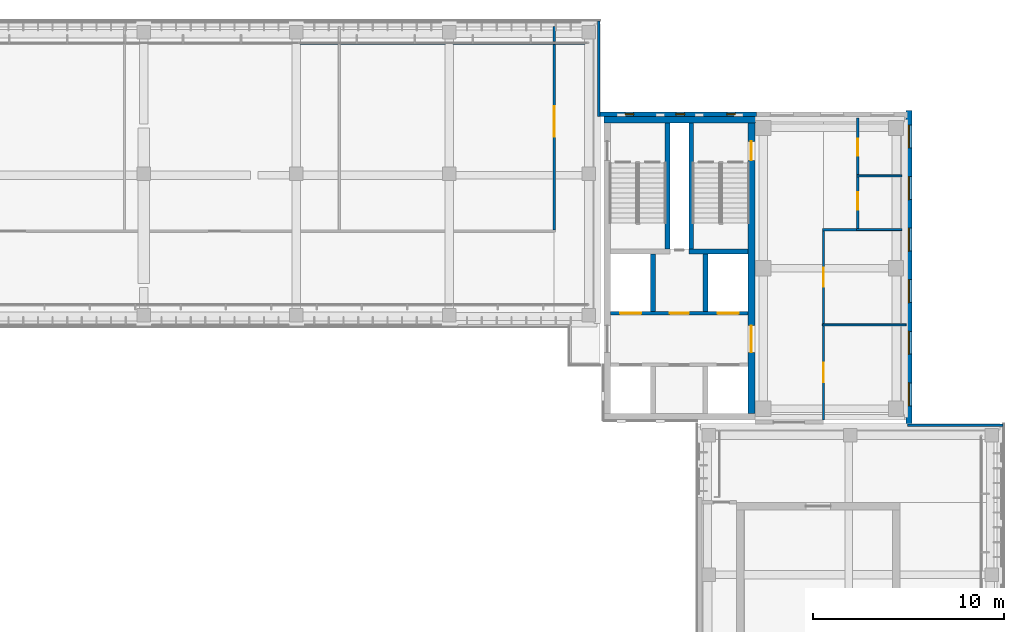
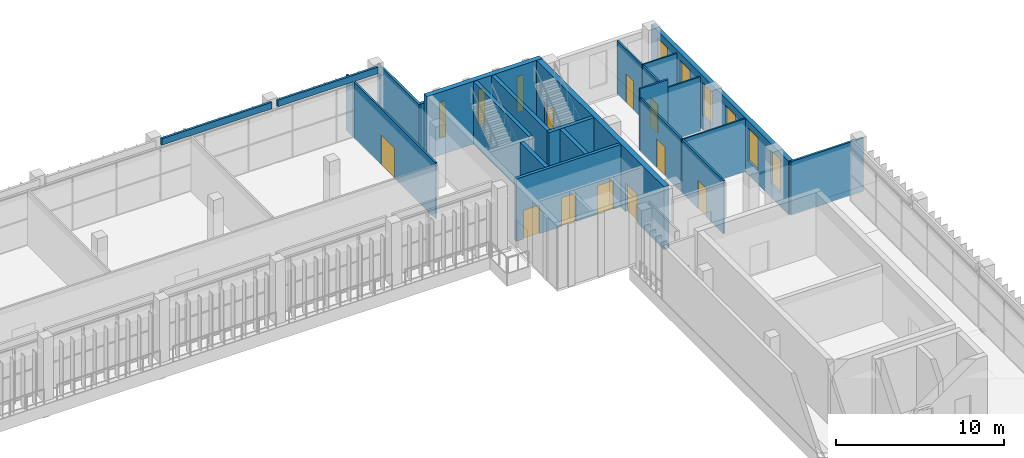
# One storey, part 51 of 73: 22 walls, 10 doors, 9 windows, 19 openings.
"""IFC4 building model written with IfcOpenShell, lengths in metres."""

import ifcopenshell
import ifcopenshell.guid

model = None  # the IFC model being written
_history = None  # IfcOwnerHistory: only IFC2X3 demands one
_inside = {}  # id of a spatial element -> (the spatial element, [elements in it])
_under = {}  # id of a project, library or spatial element -> (it, [spatial elements below it])
_declared = {}  # id of a project -> (the project, [libraries it declares])
_typed = {}  # id of a type object -> (the type object, [elements of that type])
_made_of = {}  # id of a material, layer set ... -> (it, [elements and type objects made of it])


def new_model(schema):
    """Start an empty IFC model of exactly this schema.

    Asked for "IFC4X3", IfcOpenShell would pick the latest addendum, in which some entities
    have other attributes; the version numbers below select the first issue.
    IFC2X3 requires an IfcOwnerHistory on every rooted entity: one is made here for all.
    """
    global model, _history
    if schema == "IFC4X3":
        model = ifcopenshell.file(schema_version=(4, 3, 0, 0))
    else:
        model = ifcopenshell.file(schema=schema)
    _inside.clear()
    _under.clear()
    _declared.clear()
    _typed.clear()
    _made_of.clear()
    _history = None
    if model.schema == "IFC2X3":
        org = make("IfcOrganization", Name="unknown")
        user = make(
            "IfcPersonAndOrganization",
            ThePerson=make("IfcPerson", FamilyName="unknown"),
            TheOrganization=org,
        )
        app = make(
            "IfcApplication",
            ApplicationDeveloper=org,
            Version="unknown",
            ApplicationFullName="unknown",
            ApplicationIdentifier="unknown",
        )
        _history = make(
            "IfcOwnerHistory",
            OwningUser=user,
            OwningApplication=app,
            ChangeAction="ADDED",
            CreationDate=0,
        )
    return model


def make(cls, **values):
    """One entity of the class cls with the attributes given. An attribute that is None is left unset."""
    return model.create_entity(
        cls, **{name: value for name, value in values.items() if value is not None}
    )


def rooted(cls, **values):
    """An entity with a GlobalId (a new one), such as an element, a storey or a relation."""
    return make(cls, GlobalId=ifcopenshell.guid.new(), OwnerHistory=_history, **values)


def si_unit(unit_type, name, prefix=None):
    """IfcSIUnit, for example si_unit("LENGTHUNIT", "METRE", prefix="MILLI")."""
    return make("IfcSIUnit", UnitType=unit_type, Prefix=prefix, Name=name)


def assignment(units):
    """IfcUnitAssignment: the units of a project."""
    return None if units is None else make("IfcUnitAssignment", Units=units)


def point(xyz):
    """IfcCartesianPoint."""
    return None if xyz is None else make("IfcCartesianPoint", Coordinates=xyz)


def direction(xyz):
    """IfcDirection."""
    return None if xyz is None else make("IfcDirection", DirectionRatios=xyz)


def frame(location, z_axis=None, x_axis=None):
    """IfcAxis2Placement3D, a coordinate frame: its origin and axes. An axis left out is left unset."""
    return make(
        "IfcAxis2Placement3D",
        Location=point(location),
        Axis=direction(z_axis),
        RefDirection=direction(x_axis),
    )


def frame_2d(location, x_axis=None):
    """IfcAxis2Placement2D, a coordinate frame in the plane: its origin and x axis."""
    return make(
        "IfcAxis2Placement2D", Location=point(location), RefDirection=direction(x_axis)
    )


def origin():
    """The frame at (0, 0, 0) with its axes left unset."""
    return frame((0.0, 0.0, 0.0))


def place(relative_to, where):
    """IfcLocalPlacement: puts the frame where relative to a parent placement (None: the world)."""
    return make(
        "IfcLocalPlacement", PlacementRelTo=relative_to, RelativePlacement=where
    )


def context(
    kind, dimensions, precision=None, world=None, true_north=None, identifier=None
):
    """IfcGeometricRepresentationContext, for example the 3D "Model" context."""
    return make(
        "IfcGeometricRepresentationContext",
        ContextIdentifier=identifier,
        ContextType=kind,
        CoordinateSpaceDimension=dimensions,
        Precision=precision,
        WorldCoordinateSystem=world,
        TrueNorth=true_north,
    )


def subcontext(parent, identifier, kind, view, scale=None):
    """IfcGeometricRepresentationSubContext, for example "Body" below "Model"."""
    return make(
        "IfcGeometricRepresentationSubContext",
        ContextIdentifier=identifier,
        ContextType=kind,
        ParentContext=parent,
        TargetScale=scale,
        TargetView=view,
    )


def project(units=None, contexts=None):
    """IfcProject with its units and contexts."""
    return rooted(
        "IfcProject",
        Name="project",
        RepresentationContexts=contexts,
        UnitsInContext=assignment(units),
    )


def spatial(cls, under=None, at=None, **own):
    """A site, building, storey or space (cls), placed at a placement, below another one or the project."""
    s = rooted(cls, ObjectPlacement=at, **own)
    if under is not None:
        _under.setdefault(under.id(), (under, []))[1].append(s)
    return s


def profile(cls, at=None, kind="AREA", **sizes):
    """A parametric profile (cls). Its sizes go by their IFC names, for example OverallWidth=200.0."""
    return make(cls, ProfileType=kind, Position=at, **sizes)


def rectangle(**sizes):
    """IfcRectangleProfileDef."""
    return profile("IfcRectangleProfileDef", **sizes)


def extrude(swept, where, along, depth):
    """IfcExtrudedAreaSolid: the profile swept, set in the frame where, extruded along a direction by depth."""
    return make(
        "IfcExtrudedAreaSolid",
        SweptArea=swept,
        Position=where,
        ExtrudedDirection=direction(along),
        Depth=depth,
    )


def shape(context_of_items, identifier, shape_type, items):
    """IfcShapeRepresentation: the items that make up one representation, for example the "Body"."""
    return make(
        "IfcShapeRepresentation",
        ContextOfItems=context_of_items,
        RepresentationIdentifier=identifier,
        RepresentationType=shape_type,
        Items=items,
    )


def material(Name=None, Category=None):
    """IfcMaterial."""
    return make("IfcMaterial", Name=Name, Category=Category)


def layer(
    of_material, thickness, ventilated=None, Name=None, Category=None, Priority=None
):
    """IfcMaterialLayer: one layer of a wall or slab, of a material (None: an air gap)."""
    return make(
        "IfcMaterialLayer",
        Material=of_material,
        LayerThickness=thickness,
        IsVentilated=ventilated,
        Name=Name,
        Category=Category,
        Priority=Priority,
    )


def layer_set(layers, Name=None):
    """IfcMaterialLayerSet."""
    return make("IfcMaterialLayerSet", MaterialLayers=layers, LayerSetName=Name)


def made_of(thing, what):
    """Note that an element or type object is made of a material, layer set ...; save() writes the relation."""
    if what is not None:
        _made_of.setdefault(what.id(), (what, []))[1].append(thing)
    return thing


def type_object(cls, material=None, **own):
    """A type object (cls), such as IfcWallType, which elements share."""
    return made_of(rooted(cls, **own), material)


def element(
    cls,
    number,
    at=None,
    inside=None,
    cuts=None,
    type_object=None,
    material=None,
    context=None,
    identifier="Body",
    shape_type=None,
    held_by="IfcProductDefinitionShape",
    body=None,
    shapes=None,
    **own,
):
    """One element of the class cls, such as IfcWall. Its Tag is "e" and its number.

    at: its placement. inside: the storey or other place that contains it. cuts: it is an
    opening in that element (IfcRelVoidsElement). A single representation is given by context,
    identifier, shape_type and body (its items); several are given by shapes. held_by: the class
    of the entity that holds the representations. save() writes the other relations.
    """
    e = rooted(cls, Tag="e%d" % number, ObjectPlacement=at, **own)
    if body is not None:
        shapes = [shape(context, identifier, shape_type, body)]
    if shapes is not None:
        e.Representation = make(held_by, Representations=shapes)
    if inside is not None:
        _inside.setdefault(inside.id(), (inside, []))[1].append(e)
    if cuts is not None:
        rooted(
            "IfcRelVoidsElement", RelatingBuildingElement=cuts, RelatedOpeningElement=e
        )
    if type_object is not None:
        _typed.setdefault(type_object.id(), (type_object, []))[1].append(e)
    return made_of(e, material)


def fill(opening, filler):
    """IfcRelFillsElement: the door or window that sits in an opening."""
    return rooted(
        "IfcRelFillsElement",
        RelatingOpeningElement=opening,
        RelatedBuildingElement=filler,
    )


def aggregate(whole, parts):
    """IfcRelAggregates: a whole, such as a stair, and the parts it consists of."""
    return rooted("IfcRelAggregates", RelatingObject=whole, RelatedObjects=parts)


def save(model, path):
    """Write the relations noted so far, then the file.

    IfcRelAggregates (storeys below a building ...), IfcRelContainedInSpatialStructure (elements
    in a storey), IfcRelDefinesByType, IfcRelAssociatesMaterial and IfcRelDeclares: one each for
    every whole, place, type object, material and project.
    """
    for whole, parts in _under.values():
        aggregate(whole, parts)
    for where, things in _inside.values():
        rooted(
            "IfcRelContainedInSpatialStructure",
            RelatedElements=things,
            RelatingStructure=where,
        )
    for kind, things in _typed.values():
        rooted("IfcRelDefinesByType", RelatedObjects=things, RelatingType=kind)
    for what, things in _made_of.values():
        rooted("IfcRelAssociatesMaterial", RelatedObjects=things, RelatingMaterial=what)
    for by, libraries in _declared.values():
        rooted("IfcRelDeclares", RelatingContext=by, RelatedDefinitions=libraries)
    model.write(path)


model = new_model("IFC4")

# Units and contexts
model_context = context("Model", 3, precision=1e-05, world=origin(), true_north=direction((0.0, 1.0)))
body_context = subcontext(model_context, "Body", "Model", "MODEL_VIEW")
ifc_project = project(units=[si_unit("LENGTHUNIT", "METRE"), si_unit("AREAUNIT", "SQUARE_METRE"), si_unit("VOLUMEUNIT", "CUBIC_METRE"), si_unit("PLANEANGLEUNIT", "RADIAN"), si_unit("MASSUNIT", "GRAM", prefix="KILO")], contexts=[model_context])

# Site, building, storey
site_placement = place(None, origin())
site = spatial("IfcSite", under=ifc_project, at=site_placement, CompositionType="ELEMENT")
building_placement = place(site_placement, origin())
building = spatial("IfcBuilding", under=site, at=building_placement, Name="Lantern Court Media Centre", CompositionType="ELEMENT")
storey_placement = place(building_placement, frame((0.0, 0.0, 24.0)))
storey = spatial("IfcBuildingStorey", under=building, at=storey_placement, Name="L05", CompositionType="ELEMENT", Elevation=24.0)

# Wall, opening, door
ifc_material_1 = material(Name="Gypsum board partition")
ifc_layer_1 = layer(ifc_material_1, 0.125)
ifc_layer_set_1 = layer_set([ifc_layer_1], Name="Gypsum board partition")
wall_type_1 = type_object("IfcWallType", Name="Corridor partition 125", PredefinedType="PARTITIONING", material=ifc_layer_set_1)
wall_1_placement = place(storey_placement, frame((77.5, 106.0625, 0.0), z_axis=(0.0, 0.0, 1.0), x_axis=(0.0, 1.0, 0.0)))
wall_1 = element("IfcWall", 1, at=wall_1_placement, inside=storey, type_object=wall_type_1, Name="L05 partition 006", PredefinedType="PARTITIONING", context=body_context, shape_type="SweptSolid", body=[
    extrude(rectangle(XDim=9.70751953125, YDim=0.125, at=frame_2d((4.853759765625, 0.0))), origin(), (0.0, 0.0, 1.0), 4.080078125),
])
opening_1_placement = place(wall_1_placement, frame((4.866455078125, 0.0, 0.0)))
opening_1 = element("IfcOpeningElement", 2, at=opening_1_placement, cuts=wall_1, Name="Opening L05-007", PredefinedType="OPENING", context=body_context, shape_type="SweptSolid", body=[
    extrude(rectangle(XDim=1.60009765625, YDim=2.199951171875, at=frame_2d((0.800048828125, 1.10009765625))), frame((0.0, 0.072509765625, 0.0), z_axis=(0.0, -1.0, 0.0), x_axis=(1.0, 0.0, 0.0)), (0.0, 0.0, 1.0), 0.14501953125),
])
ifc_material_2 = material(Name="Solid-core timber door leaf", Category="wood")
door_type_1 = type_object("IfcDoorType", Name="Double door 1600x2200", OperationType="NOTDEFINED", PredefinedType="DOOR", material=ifc_material_2)
door_1_placement = place(opening_1_placement, frame((1.60009765625, 0.0, 0.0), z_axis=(0.0, 0.0, 1.0), x_axis=(-1.0, 0.0, 0.0)))
door_1 = element("IfcDoor", 3, at=door_1_placement, inside=storey, type_object=door_type_1, Name="L05 Media Training Room 03 door", OperationType="DOUBLE_DOOR_SINGLE_SWING", OverallHeight=2.199951171875, OverallWidth=1.60009765625, PredefinedType="DOOR", context=body_context, shape_type="SweptSolid", body=[
    extrude(rectangle(XDim=1.60009765625, YDim=2.199951171875, at=frame_2d((0.800048828125, 1.10009765625))), frame((0.0, 0.02490234375, 0.0), z_axis=(0.0, -1.0, 0.0), x_axis=(1.0, 0.0, 0.0)), (0.0, 0.0, 1.0), 0.050048828125),
])
fill(opening_1, door_1)

# Wall
wall_2_placement = place(storey_placement, frame((77.5, 115.929931640625, 0.0), z_axis=(0.0, 0.0, 1.0), x_axis=(0.0, 1.0, 0.0)))
element("IfcWall", 4, at=wall_2_placement, inside=storey, type_object=wall_type_1, Name="L05 partition 007", PredefinedType="PARTITIONING", context=body_context, shape_type="SweptSolid", body=[
    extrude(rectangle(XDim=0.77001953125, YDim=0.125, at=frame_2d((0.385009765625, 0.0))), origin(), (0.0, 0.0, 1.0), 4.080078125),
])

# Wall, openings, doors
wall_3_placement = place(storey_placement, frame((91.60009765625, 96.10009765625, 0.0), z_axis=(0.0, 0.0, 1.0), x_axis=(0.0, 1.0, 0.0)))
wall_3 = element("IfcWall", 5, at=wall_3_placement, inside=storey, type_object=wall_type_1, Name="L05 partition 034", PredefinedType="PARTITIONING", context=body_context, shape_type="SweptSolid", body=[
    extrude(rectangle(XDim=9.9140625, YDim=0.125, at=frame_2d((4.95703125, 0.0))), origin(), (0.0, 0.0, 1.0), 3.8798828125),
])
opening_2_placement = place(wall_3_placement, frame((6.982666015625, 0.0, 0.0)))
opening_2 = element("IfcOpeningElement", 6, at=opening_2_placement, cuts=wall_3, Name="Opening L05-027", PredefinedType="OPENING", context=body_context, shape_type="SweptSolid", body=[
    extrude(rectangle(XDim=1.0, YDim=2.10009765625, at=frame_2d((0.5, 1.050048828125))), frame((0.0, 0.072509765625, 0.0), z_axis=(0.0, -1.0, 0.0), x_axis=(1.0, 0.0, 0.0)), (0.0, 0.0, 1.0), 0.14501953125),
])
opening_3_placement = place(wall_3_placement, frame((1.994140625, 0.0, 0.0)))
opening_3 = element("IfcOpeningElement", 7, at=opening_3_placement, cuts=wall_3, Name="Opening L05-028", PredefinedType="OPENING", context=body_context, shape_type="SweptSolid", body=[
    extrude(rectangle(XDim=1.0, YDim=2.10009765625, at=frame_2d((0.5, 1.050048828125))), frame((0.0, 0.072509765625, 0.0), z_axis=(0.0, -1.0, 0.0), x_axis=(1.0, 0.0, 0.0)), (0.0, 0.0, 1.0), 0.14501953125),
])
door_type_2 = type_object("IfcDoorType", Name="Single door 1000x2100", OperationType="NOTDEFINED", PredefinedType="DOOR", material=ifc_material_2)
door_2_placement = place(opening_2_placement, frame((1.0, 0.0, 0.0), z_axis=(0.0, 0.0, 1.0), x_axis=(-1.0, 0.0, 0.0)))
door_2 = element("IfcDoor", 8, at=door_2_placement, inside=storey, type_object=door_type_2, Name="L05 Broadcast Programming Office 06 door", OperationType="SINGLE_SWING_RIGHT", OverallHeight=2.10009765625, OverallWidth=1.0, PredefinedType="DOOR", context=body_context, shape_type="SweptSolid", body=[
    extrude(rectangle(XDim=1.0, YDim=2.10009765625, at=frame_2d((0.5, 1.050048828125))), frame((0.0, 0.02490234375, 0.0), z_axis=(0.0, -1.0, 0.0), x_axis=(1.0, 0.0, 0.0)), (0.0, 0.0, 1.0), 0.050048828125),
])
fill(opening_2, door_2)
door_3_placement = place(opening_3_placement, frame((1.0, 0.0, 0.0), z_axis=(0.0, 0.0, 1.0), x_axis=(-1.0, 0.0, 0.0)))
door_3 = element("IfcDoor", 9, at=door_3_placement, inside=storey, type_object=door_type_2, Name="L05 Broadcast Programming Office 07 door", OperationType="SINGLE_SWING_LEFT", OverallHeight=2.10009765625, OverallWidth=1.0, PredefinedType="DOOR", context=body_context, shape_type="SweptSolid", body=[
    extrude(rectangle(XDim=1.0, YDim=2.10009765625, at=frame_2d((0.5, 1.050048828125))), frame((0.0, 0.02490234375, 0.0), z_axis=(0.0, -1.0, 0.0), x_axis=(1.0, 0.0, 0.0)), (0.0, 0.0, 1.0), 0.050048828125),
])
fill(opening_3, door_3)

wall_4_placement = place(storey_placement, frame((93.39990234375, 106.13916015625, 0.0), z_axis=(0.0, 0.0, 1.0), x_axis=(0.0, 1.0, 0.0)))
wall_4 = element("IfcWall", 10, at=wall_4_placement, inside=storey, type_object=wall_type_1, Name="L05 partition 039", PredefinedType="PARTITIONING", context=body_context, shape_type="SweptSolid", body=[
    extrude(rectangle(XDim=5.78076171875, YDim=0.125, at=frame_2d((2.890380859375, 0.0))), origin(), (0.0, 0.0, 1.0), 3.8798828125),
])
opening_4_placement = place(wall_4_placement, frame((3.79541015625, 0.0, 0.0)))
opening_4 = element("IfcOpeningElement", 11, at=opening_4_placement, cuts=wall_4, Name="Opening L05-029", PredefinedType="OPENING", context=body_context, shape_type="SweptSolid", body=[
    extrude(rectangle(XDim=0.89990234375, YDim=2.10009765625, at=frame_2d((0.449951171875, 1.050048828125))), frame((0.0, 0.072509765625, 0.0), z_axis=(0.0, -1.0, 0.0), x_axis=(1.0, 0.0, 0.0)), (0.0, 0.0, 1.0), 0.14501953125),
])
opening_5_placement = place(wall_4_placement, frame((0.983642578125, 0.0, 0.0)))
opening_5 = element("IfcOpeningElement", 12, at=opening_5_placement, cuts=wall_4, Name="Opening L05-030", PredefinedType="OPENING", context=body_context, shape_type="SweptSolid", body=[
    extrude(rectangle(XDim=0.89990234375, YDim=2.10009765625, at=frame_2d((0.449951171875, 1.050048828125))), frame((0.0, 0.072509765625, 0.0), z_axis=(0.0, -1.0, 0.0), x_axis=(1.0, 0.0, 0.0)), (0.0, 0.0, 1.0), 0.14501953125),
])
door_type_3 = type_object("IfcDoorType", Name="Single door 900x2100", OperationType="NOTDEFINED", PredefinedType="DOOR", material=ifc_material_2)
door_4_placement = place(opening_4_placement, frame((0.89990234375, 0.0, 0.0), z_axis=(0.0, 0.0, 1.0), x_axis=(-1.0, 0.0, 0.0)))
door_4 = element("IfcDoor", 13, at=door_4_placement, inside=storey, type_object=door_type_3, Name="L05 WC Male door", OperationType="SINGLE_SWING_RIGHT", OverallHeight=2.10009765625, OverallWidth=0.89990234375, PredefinedType="DOOR", context=body_context, shape_type="SweptSolid", body=[
    extrude(rectangle(XDim=0.89990234375, YDim=2.10009765625, at=frame_2d((0.449951171875, 1.050048828125))), frame((0.0, 0.02490234375, 0.0), z_axis=(0.0, -1.0, 0.0), x_axis=(1.0, 0.0, 0.0)), (0.0, 0.0, 1.0), 0.050048828125),
])
fill(opening_4, door_4)
door_5_placement = place(opening_5_placement, frame((0.89990234375, 0.0, 0.0), z_axis=(0.0, 0.0, 1.0), x_axis=(-1.0, 0.0, 0.0)))
door_5 = element("IfcDoor", 14, at=door_5_placement, inside=storey, type_object=door_type_3, Name="L05 WC Female door", OperationType="SINGLE_SWING_LEFT", OverallHeight=2.10009765625, OverallWidth=0.89990234375, PredefinedType="DOOR", context=body_context, shape_type="SweptSolid", body=[
    extrude(rectangle(XDim=0.89990234375, YDim=2.10009765625, at=frame_2d((0.449951171875, 1.050048828125))), frame((0.0, 0.02490234375, 0.0), z_axis=(0.0, -1.0, 0.0), x_axis=(1.0, 0.0, 0.0)), (0.0, 0.0, 1.0), 0.050048828125),
])
fill(opening_5, door_5)

# Wall
wall_5_placement = place(storey_placement, frame((91.53759765625, 106.076904296875, 0.0), z_axis=(0.0, 0.0, 1.0), x_axis=(1.0, 0.0, 0.0)))
element("IfcWall", 15, at=wall_5_placement, inside=storey, type_object=wall_type_1, Name="L05 partition 046", PredefinedType="PARTITIONING", context=body_context, shape_type="SweptSolid", body=[
    extrude(rectangle(XDim=1.9248046875, YDim=0.125, at=frame_2d((0.96240234375, 0.0))), origin(), (0.0, 0.0, 1.0), 4.56005859375),
])

# Wall, openings, doors
ifc_material_3 = material(Name="Concrete C40", Category="concrete")
ifc_layer_2 = layer(ifc_material_3, 0.199951171875)
ifc_layer_set_2 = layer_set([ifc_layer_2], Name="Concrete C40")
wall_type_2 = type_object("IfcWallType", Name="Fire lobby wall 200", PredefinedType="SOLIDWALL", material=ifc_layer_set_2)
wall_6_placement = place(storey_placement, frame((87.64990234375, 101.699951171875, 0.0), z_axis=(0.0, 0.0, 1.0), x_axis=(-1.0, 0.0, 0.0)))
wall_6 = element("IfcWall", 16, at=wall_6_placement, inside=storey, type_object=wall_type_2, Name="L05 NE FW1", PredefinedType="SOLIDWALL", context=body_context, shape_type="SweptSolid", body=[
    extrude(rectangle(XDim=7.199951171875, YDim=0.199951171875, at=frame_2d((3.60009765625, 0.0))), origin(), (0.0, 0.0, 1.0), 4.550048828125),
])
opening_6_placement = place(wall_6_placement, frame((0.5, 0.0, 0.0)))
opening_6 = element("IfcOpeningElement", 17, at=opening_6_placement, cuts=wall_6, Name="Opening LD-NEFF-L05", PredefinedType="OPENING", context=body_context, shape_type="SweptSolid", body=[
    extrude(rectangle(XDim=1.10009765625, YDim=2.10009765625, at=frame_2d((0.550048828125, 1.050048828125))), frame((0.0, 0.10986328125, 0.0), z_axis=(0.0, -1.0, 0.0), x_axis=(1.0, 0.0, 0.0)), (0.0, 0.0, 1.0), 0.219970703125),
])
opening_7_placement = place(wall_6_placement, frame((5.60009765625, 0.0, 0.0)))
opening_7 = element("IfcOpeningElement", 18, at=opening_7_placement, cuts=wall_6, Name="Opening LD-NEP1-L05", PredefinedType="OPENING", context=body_context, shape_type="SweptSolid", body=[
    extrude(rectangle(XDim=1.10009765625, YDim=2.10009765625, at=frame_2d((0.550048828125, 1.050048828125))), frame((0.0, 0.10986328125, 0.0), z_axis=(0.0, -1.0, 0.0), x_axis=(1.0, 0.0, 0.0)), (0.0, 0.0, 1.0), 0.219970703125),
])
opening_8_placement = place(wall_6_placement, frame((3.10009765625, 0.0, 0.0)))
opening_8 = element("IfcOpeningElement", 19, at=opening_8_placement, cuts=wall_6, Name="Opening NE-L05-03", PredefinedType="OPENING", context=body_context, shape_type="SweptSolid", body=[
    extrude(rectangle(XDim=1.0, YDim=2.10009765625, at=frame_2d((0.5, 1.050048828125))), frame((0.0, 0.10986328125, 0.0), z_axis=(0.0, -1.0, 0.0), x_axis=(1.0, 0.0, 0.0)), (0.0, 0.0, 1.0), 0.219970703125),
])
ifc_material_4 = material(Name="Steel door leaf", Category="steel")
door_type_4 = type_object("IfcDoorType", Name="Lift landing door 1100x2100", OperationType="DOUBLE_DOOR_SLIDING", PredefinedType="DOOR", material=ifc_material_4)
door_6_placement = place(opening_6_placement, origin())
door_6 = element("IfcDoor", 20, at=door_6_placement, inside=storey, type_object=door_type_4, Name="L05 NE lift FF landing door", OperationType="DOUBLE_DOOR_SLIDING", OverallHeight=2.10009765625, OverallWidth=1.10009765625, PredefinedType="DOOR", context=body_context, shape_type="SweptSolid", body=[
    extrude(rectangle(XDim=1.10009765625, YDim=2.10009765625, at=frame_2d((0.550048828125, 1.050048828125))), frame((0.0, 0.02490234375, 0.0), z_axis=(0.0, -1.0, 0.0), x_axis=(1.0, 0.0, 0.0)), (0.0, 0.0, 1.0), 0.050048828125),
])
fill(opening_6, door_6)
door_7_placement = place(opening_7_placement, origin())
door_7 = element("IfcDoor", 21, at=door_7_placement, inside=storey, type_object=door_type_4, Name="L05 NE lift P1 landing door", OperationType="DOUBLE_DOOR_SLIDING", OverallHeight=2.10009765625, OverallWidth=1.10009765625, PredefinedType="DOOR", context=body_context, shape_type="SweptSolid", body=[
    extrude(rectangle(XDim=1.10009765625, YDim=2.10009765625, at=frame_2d((0.550048828125, 1.050048828125))), frame((0.0, 0.02490234375, 0.0), z_axis=(0.0, -1.0, 0.0), x_axis=(1.0, 0.0, 0.0)), (0.0, 0.0, 1.0), 0.050048828125),
])
fill(opening_7, door_7)
door_type_5 = type_object("IfcDoorType", Name="Service door 1000x2100", OperationType="NOTDEFINED", PredefinedType="DOOR", material=ifc_material_4)
door_8_placement = place(opening_8_placement, origin())
door_8 = element("IfcDoor", 22, at=door_8_placement, inside=storey, type_object=door_type_5, Name="L05 NE services riser door", OperationType="SINGLE_SWING_LEFT", OverallHeight=2.10009765625, OverallWidth=1.0, PredefinedType="DOOR", context=body_context, shape_type="SweptSolid", body=[
    extrude(rectangle(XDim=1.0, YDim=2.10009765625, at=frame_2d((0.5, 1.050048828125))), frame((0.0, 0.02490234375, 0.0), z_axis=(0.0, -1.0, 0.0), x_axis=(1.0, 0.0, 0.0)), (0.0, 0.0, 1.0), 0.050048828125),
])
fill(opening_8, door_8)

# Walls
ifc_material_5 = material(Name="Insulated rendered blockwork", Category="masonry")
ifc_layer_3 = layer(ifc_material_5, 0.14990234375)
ifc_layer_set_3 = layer_set([ifc_layer_3], Name="Insulated rendered blockwork")
wall_type_3 = type_object("IfcWallType", Name="Head infill wall 150", PredefinedType="SOLIDWALL", material=ifc_layer_set_3)
wall_7_placement = place(storey_placement, frame((64.199951171875, 115.85009765625, 4.10009765625), z_axis=(0.0, 0.0, 1.0), x_axis=(1.0, 0.0, 0.0)))
element("IfcWall", 23, at=wall_7_placement, inside=storey, type_object=wall_type_3, Name="Head infill wall N outer L05", PredefinedType="SOLIDWALL", context=body_context, shape_type="SweptSolid", body=[
    extrude(rectangle(XDim=7.60009765625, YDim=0.14990234375, at=frame_2d((3.800048828125, 0.0))), origin(), (0.0, 0.0, 1.0), 0.47998046875),
])
wall_8_placement = place(storey_placement, frame((72.199951171875, 115.85009765625, 4.10009765625), z_axis=(0.0, 0.0, 1.0), x_axis=(1.0, 0.0, 0.0)))
element("IfcWall", 24, at=wall_8_placement, inside=storey, type_object=wall_type_3, Name="Head infill wall N outer L05", PredefinedType="SOLIDWALL", context=body_context, shape_type="SweptSolid", body=[
    extrude(rectangle(XDim=6.900146484375, YDim=0.14990234375, at=frame_2d((3.4501953125, 0.0))), origin(), (0.0, 0.0, 1.0), 0.47998046875),
])

# Wall, openings, windows
ifc_material_6 = material(Name="Honed limestone cladding on blockwork", Category="masonry")
ifc_layer_4 = layer(ifc_material_6, 0.300048828125)
ifc_layer_set_4 = layer_set([ifc_layer_4], Name="Honed limestone cladding on blockwork")
wall_type_4 = type_object("IfcWallType", Name="Limestone block wall 300", PredefinedType="SOLIDWALL", material=ifc_layer_set_4)
wall_9_placement = place(storey_placement, frame((96.070068359375, 95.89990234375, 0.0), z_axis=(0.0, 0.0, 1.0), x_axis=(0.0, 1.0, 0.0)))
wall_9 = element("IfcWall", 25, at=wall_9_placement, inside=storey, type_object=wall_type_4, Name="Limestone wall NE E L05", PredefinedType="SOLIDWALL", context=body_context, shape_type="SweptSolid", body=[
    extrude(rectangle(XDim=16.400146484375, YDim=0.300048828125, at=frame_2d((8.2001953125, 0.0))), origin(), (0.0, 0.0, 1.0), 3.89990234375),
])
opening_9_placement = place(wall_9_placement, frame((0.949951171875, 0.0, 1.0)))
opening_9 = element("IfcOpeningElement", 26, at=opening_9_placement, cuts=wall_9, Name="Opening WN-A", PredefinedType="OPENING", context=body_context, shape_type="SweptSolid", body=[
    extrude(rectangle(XDim=1.199951171875, YDim=2.39990234375, at=frame_2d((0.60009765625, 1.199951171875))), frame((0.0, 0.159912109375, 0.0), z_axis=(0.0, -1.0, 0.0), x_axis=(1.0, 0.0, 0.0)), (0.0, 0.0, 1.0), 0.320068359375),
])
opening_10_placement = place(wall_9_placement, frame((3.64990234375, 0.0, 1.0)))
opening_10 = element("IfcOpeningElement", 27, at=opening_10_placement, cuts=wall_9, Name="Opening WN-A", PredefinedType="OPENING", context=body_context, shape_type="SweptSolid", body=[
    extrude(rectangle(XDim=1.199951171875, YDim=2.39990234375, at=frame_2d((0.60009765625, 1.199951171875))), frame((0.0, 0.159912109375, 0.0), z_axis=(0.0, -1.0, 0.0), x_axis=(1.0, 0.0, 0.0)), (0.0, 0.0, 1.0), 0.320068359375),
])
opening_11_placement = place(wall_9_placement, frame((6.35009765625, 0.0, 1.0)))
opening_11 = element("IfcOpeningElement", 28, at=opening_11_placement, cuts=wall_9, Name="Opening WN-A", PredefinedType="OPENING", context=body_context, shape_type="SweptSolid", body=[
    extrude(rectangle(XDim=1.199951171875, YDim=2.39990234375, at=frame_2d((0.60009765625, 1.199951171875))), frame((0.0, 0.159912109375, 0.0), z_axis=(0.0, -1.0, 0.0), x_axis=(1.0, 0.0, 0.0)), (0.0, 0.0, 1.0), 0.320068359375),
])
opening_12_placement = place(wall_9_placement, frame((9.050048828125, 0.0, 1.0)))
opening_12 = element("IfcOpeningElement", 29, at=opening_12_placement, cuts=wall_9, Name="Opening WN-A", PredefinedType="OPENING", context=body_context, shape_type="SweptSolid", body=[
    extrude(rectangle(XDim=1.199951171875, YDim=2.39990234375, at=frame_2d((0.60009765625, 1.199951171875))), frame((0.0, 0.159912109375, 0.0), z_axis=(0.0, -1.0, 0.0), x_axis=(1.0, 0.0, 0.0)), (0.0, 0.0, 1.0), 0.320068359375),
])
opening_13_placement = place(wall_9_placement, frame((11.75, 0.0, 1.0)))
opening_13 = element("IfcOpeningElement", 30, at=opening_13_placement, cuts=wall_9, Name="Opening WN-A", PredefinedType="OPENING", context=body_context, shape_type="SweptSolid", body=[
    extrude(rectangle(XDim=1.199951171875, YDim=2.39990234375, at=frame_2d((0.60009765625, 1.199951171875))), frame((0.0, 0.159912109375, 0.0), z_axis=(0.0, -1.0, 0.0), x_axis=(1.0, 0.0, 0.0)), (0.0, 0.0, 1.0), 0.320068359375),
])
opening_14_placement = place(wall_9_placement, frame((14.449951171875, 0.0, 1.0)))
opening_14 = element("IfcOpeningElement", 31, at=opening_14_placement, cuts=wall_9, Name="Opening WN-A", PredefinedType="OPENING", context=body_context, shape_type="SweptSolid", body=[
    extrude(rectangle(XDim=1.199951171875, YDim=2.39990234375, at=frame_2d((0.60009765625, 1.199951171875))), frame((0.0, 0.159912109375, 0.0), z_axis=(0.0, -1.0, 0.0), x_axis=(1.0, 0.0, 0.0)), (0.0, 0.0, 1.0), 0.320068359375),
])
ifc_material_7 = material(Name="Anodised aluminium and glass", Category="aluminium")
window_type_1 = type_object("IfcWindowType", Name="Attic window 1200x2400", PartitioningType="SINGLE_PANEL", PredefinedType="WINDOW", material=ifc_material_7)
window_1_placement = place(opening_9_placement, origin())
window_1 = element("IfcWindow", 32, at=window_1_placement, inside=storey, type_object=window_type_1, Name="Window NE E L05", OverallHeight=2.39990234375, OverallWidth=1.199951171875, PartitioningType="SINGLE_PANEL", PredefinedType="WINDOW", context=body_context, shape_type="SweptSolid", body=[
    extrude(rectangle(XDim=1.199951171875, YDim=2.39990234375, at=frame_2d((0.60009765625, 1.199951171875))), frame((0.0, 0.030029296875, 0.0), z_axis=(0.0, -1.0, 0.0), x_axis=(1.0, 0.0, 0.0)), (0.0, 0.0, 1.0), 0.06005859375),
])
fill(opening_9, window_1)
window_2_placement = place(opening_10_placement, origin())
window_2 = element("IfcWindow", 33, at=window_2_placement, inside=storey, type_object=window_type_1, Name="Window NE E L05", OverallHeight=2.39990234375, OverallWidth=1.199951171875, PartitioningType="SINGLE_PANEL", PredefinedType="WINDOW", context=body_context, shape_type="SweptSolid", body=[
    extrude(rectangle(XDim=1.199951171875, YDim=2.39990234375, at=frame_2d((0.60009765625, 1.199951171875))), frame((0.0, 0.030029296875, 0.0), z_axis=(0.0, -1.0, 0.0), x_axis=(1.0, 0.0, 0.0)), (0.0, 0.0, 1.0), 0.06005859375),
])
fill(opening_10, window_2)
window_3_placement = place(opening_11_placement, origin())
window_3 = element("IfcWindow", 34, at=window_3_placement, inside=storey, type_object=window_type_1, Name="Window NE E L05", OverallHeight=2.39990234375, OverallWidth=1.199951171875, PartitioningType="SINGLE_PANEL", PredefinedType="WINDOW", context=body_context, shape_type="SweptSolid", body=[
    extrude(rectangle(XDim=1.199951171875, YDim=2.39990234375, at=frame_2d((0.60009765625, 1.199951171875))), frame((0.0, 0.030029296875, 0.0), z_axis=(0.0, -1.0, 0.0), x_axis=(1.0, 0.0, 0.0)), (0.0, 0.0, 1.0), 0.06005859375),
])
fill(opening_11, window_3)
window_4_placement = place(opening_12_placement, origin())
window_4 = element("IfcWindow", 35, at=window_4_placement, inside=storey, type_object=window_type_1, Name="Window NE E L05", OverallHeight=2.39990234375, OverallWidth=1.199951171875, PartitioningType="SINGLE_PANEL", PredefinedType="WINDOW", context=body_context, shape_type="SweptSolid", body=[
    extrude(rectangle(XDim=1.199951171875, YDim=2.39990234375, at=frame_2d((0.60009765625, 1.199951171875))), frame((0.0, 0.030029296875, 0.0), z_axis=(0.0, -1.0, 0.0), x_axis=(1.0, 0.0, 0.0)), (0.0, 0.0, 1.0), 0.06005859375),
])
fill(opening_12, window_4)
window_5_placement = place(opening_13_placement, origin())
window_5 = element("IfcWindow", 36, at=window_5_placement, inside=storey, type_object=window_type_1, Name="Window NE E L05", OverallHeight=2.39990234375, OverallWidth=1.199951171875, PartitioningType="SINGLE_PANEL", PredefinedType="WINDOW", context=body_context, shape_type="SweptSolid", body=[
    extrude(rectangle(XDim=1.199951171875, YDim=2.39990234375, at=frame_2d((0.60009765625, 1.199951171875))), frame((0.0, 0.030029296875, 0.0), z_axis=(0.0, -1.0, 0.0), x_axis=(1.0, 0.0, 0.0)), (0.0, 0.0, 1.0), 0.06005859375),
])
fill(opening_13, window_5)
window_6_placement = place(opening_14_placement, origin())
window_6 = element("IfcWindow", 37, at=window_6_placement, inside=storey, type_object=window_type_1, Name="Window NE E L05", OverallHeight=2.39990234375, OverallWidth=1.199951171875, PartitioningType="SINGLE_PANEL", PredefinedType="WINDOW", context=body_context, shape_type="SweptSolid", body=[
    extrude(rectangle(XDim=1.199951171875, YDim=2.39990234375, at=frame_2d((0.60009765625, 1.199951171875))), frame((0.0, 0.030029296875, 0.0), z_axis=(0.0, -1.0, 0.0), x_axis=(1.0, 0.0, 0.0)), (0.0, 0.0, 1.0), 0.06005859375),
])
fill(opening_14, window_6)

# Walls
ifc_layer_5 = layer(ifc_material_6, 0.139892578125)
ifc_layer_set_5 = layer_set([ifc_layer_5], Name="Honed limestone cladding on blockwork")
wall_type_5 = type_object("IfcWallType", Name="Limestone closure wall 140", PredefinedType="SOLIDWALL", material=ifc_layer_set_5)
for number, where, z_axis, x_axis, name in (
    (38, (79.830078125, 112.0, 0.0), (0.0, 0.0, 1.0), (0.0, 1.0, 0.0), "Limestone closure wall N-NE L05"),
    (39, (96.0, 95.830078125, 0.0), (0.0, 0.0, 1.0), (1.0, 0.0, 0.0), "Limestone closure wall E-NE L05"),
):
    element("IfcWall", number, at=place(storey_placement, frame(where, z_axis=z_axis, x_axis=x_axis)), inside=storey, type_object=wall_type_5, Name=name, PredefinedType="SOLIDWALL", context=body_context, shape_type="SweptSolid", body=[
        extrude(rectangle(XDim=5.0, YDim=0.139892578125, at=frame_2d((2.5, 0.0))), origin(), (0.0, 0.0, 1.0), 3.89990234375),
    ])

# Wall, openings, windows
ifc_material_8 = material(Name="Honed limestone cladding on blockwork, reduced to 220 where it passes the core wall", Category="masonry")
ifc_layer_6 = layer(ifc_material_8, 0.219970703125)
ifc_layer_set_6 = layer_set([ifc_layer_6], Name="Honed limestone cladding on blockwork, reduced to 220 where it passes the core wall")
wall_type_6 = type_object("IfcWallType", Name="Limestone skin wall 220", PredefinedType="SOLIDWALL", material=ifc_layer_set_6)
wall_10_placement = place(storey_placement, frame((79.89990234375, 112.110107421875, 0.0), z_axis=(0.0, 0.0, 1.0), x_axis=(1.0, 0.0, 0.0)))
wall_10 = element("IfcWall", 40, at=wall_10_placement, inside=storey, type_object=wall_type_6, Name="Limestone wall NE N L05", PredefinedType="SOLIDWALL", context=body_context, shape_type="SweptSolid", body=[
    extrude(rectangle(XDim=8.2001953125, YDim=0.219970703125, at=frame_2d((4.10009765625, 0.0))), origin(), (0.0, 0.0, 1.0), 3.89990234375),
])
opening_15_placement = place(wall_10_placement, frame((1.308349609375, 0.0, 0.89990234375)))
opening_15 = element("IfcOpeningElement", 41, at=opening_15_placement, cuts=wall_10, Name="Opening WN-S", PredefinedType="OPENING", context=body_context, shape_type="SweptSolid", body=[
    extrude(rectangle(XDim=0.449951171875, YDim=2.60009765625, at=frame_2d((0.22509765625, 1.300048828125))), frame((0.0, 0.119873046875, 0.0), z_axis=(0.0, -1.0, 0.0), x_axis=(1.0, 0.0, 0.0)), (0.0, 0.0, 1.0), 0.239990234375),
])
opening_16_placement = place(wall_10_placement, frame((3.97509765625, 0.0, 0.89990234375)))
opening_16 = element("IfcOpeningElement", 42, at=opening_16_placement, cuts=wall_10, Name="Opening WN-S", PredefinedType="OPENING", context=body_context, shape_type="SweptSolid", body=[
    extrude(rectangle(XDim=0.449951171875, YDim=2.60009765625, at=frame_2d((0.22509765625, 1.300048828125))), frame((0.0, 0.119873046875, 0.0), z_axis=(0.0, -1.0, 0.0), x_axis=(1.0, 0.0, 0.0)), (0.0, 0.0, 1.0), 0.239990234375),
])
opening_17_placement = place(wall_10_placement, frame((6.6416015625, 0.0, 0.89990234375)))
opening_17 = element("IfcOpeningElement", 43, at=opening_17_placement, cuts=wall_10, Name="Opening WN-S", PredefinedType="OPENING", context=body_context, shape_type="SweptSolid", body=[
    extrude(rectangle(XDim=0.449951171875, YDim=2.60009765625, at=frame_2d((0.22509765625, 1.300048828125))), frame((0.0, 0.119873046875, 0.0), z_axis=(0.0, -1.0, 0.0), x_axis=(1.0, 0.0, 0.0)), (0.0, 0.0, 1.0), 0.239990234375),
])
window_type_2 = type_object("IfcWindowType", Name="Stair slit window 450x2600", PartitioningType="SINGLE_PANEL", PredefinedType="WINDOW", material=ifc_material_7)
window_7_placement = place(opening_15_placement, origin())
window_7 = element("IfcWindow", 44, at=window_7_placement, inside=storey, type_object=window_type_2, Name="Window NE N L05", OverallHeight=2.60009765625, OverallWidth=0.449951171875, PartitioningType="SINGLE_PANEL", PredefinedType="WINDOW", context=body_context, shape_type="SweptSolid", body=[
    extrude(rectangle(XDim=0.449951171875, YDim=2.60009765625, at=frame_2d((0.22509765625, 1.300048828125))), frame((0.0, 0.030029296875, 0.0), z_axis=(0.0, -1.0, 0.0), x_axis=(1.0, 0.0, 0.0)), (0.0, 0.0, 1.0), 0.06005859375),
])
fill(opening_15, window_7)
window_8_placement = place(opening_16_placement, origin())
window_8 = element("IfcWindow", 45, at=window_8_placement, inside=storey, type_object=window_type_2, Name="Window NE N L05", OverallHeight=2.60009765625, OverallWidth=0.449951171875, PartitioningType="SINGLE_PANEL", PredefinedType="WINDOW", context=body_context, shape_type="SweptSolid", body=[
    extrude(rectangle(XDim=0.449951171875, YDim=2.60009765625, at=frame_2d((0.22509765625, 1.300048828125))), frame((0.0, 0.030029296875, 0.0), z_axis=(0.0, -1.0, 0.0), x_axis=(1.0, 0.0, 0.0)), (0.0, 0.0, 1.0), 0.06005859375),
])
fill(opening_16, window_8)
window_9_placement = place(opening_17_placement, origin())
window_9 = element("IfcWindow", 46, at=window_9_placement, inside=storey, type_object=window_type_2, Name="Window NE N L05", OverallHeight=2.60009765625, OverallWidth=0.449951171875, PartitioningType="SINGLE_PANEL", PredefinedType="WINDOW", context=body_context, shape_type="SweptSolid", body=[
    extrude(rectangle(XDim=0.449951171875, YDim=2.60009765625, at=frame_2d((0.22509765625, 1.300048828125))), frame((0.0, 0.030029296875, 0.0), z_axis=(0.0, -1.0, 0.0), x_axis=(1.0, 0.0, 0.0)), (0.0, 0.0, 1.0), 0.06005859375),
])
fill(opening_17, window_9)

# Walls
ifc_layer_7 = layer(ifc_material_1, 0.10009765625)
ifc_layer_set_7 = layer_set([ifc_layer_7], Name="Gypsum board partition")
wall_type_7 = type_object("IfcWallType", Name="Partition 100", PredefinedType="PARTITIONING", material=ifc_layer_set_7)
wall_11_placement = place(storey_placement, frame((91.53759765625, 101.087890625, 0.0), z_axis=(0.0, 0.0, 1.0), x_axis=(1.0, 0.0, 0.0)))
element("IfcWall", 47, at=wall_11_placement, inside=storey, type_object=wall_type_7, Name="L05 partition 045", PredefinedType="PARTITIONING", context=body_context, shape_type="SweptSolid", body=[
    extrude(rectangle(XDim=4.38232421875, YDim=0.10009765625, at=frame_2d((2.191162109375, 0.0))), origin(), (0.0, 0.0, 1.0), 3.8798828125),
])
for number, where, z_axis, x_axis, name in (
    (48, (93.33740234375, 106.076904296875, 0.0), (0.0, 0.0, 1.0), (1.0, 0.0, 0.0), "L05 partition 047"),
    (49, (93.33740234375, 108.887939453125, 0.0), (0.0, 0.0, 1.0), (1.0, 0.0, 0.0), "L05 partition 048"),
):
    element("IfcWall", number, at=place(storey_placement, frame(where, z_axis=z_axis, x_axis=x_axis)), inside=storey, type_object=wall_type_7, Name=name, PredefinedType="PARTITIONING", context=body_context, shape_type="SweptSolid", body=[
        extrude(rectangle(XDim=2.362548828125, YDim=0.10009765625, at=frame_2d((1.18115234375, 0.0))), origin(), (0.0, 0.0, 1.0), 3.97998046875),
    ])
ifc_layer_8 = layer(ifc_material_3, 0.35009765625)
ifc_layer_set_8 = layer_set([ifc_layer_8], Name="Concrete C40")
wall_type_8 = type_object("IfcWallType", Name="RC CORE WALL 350", PredefinedType="SHEAR", material=ifc_layer_set_8)
wall_12_placement = place(storey_placement, frame((80.10009765625, 111.824951171875, 0.0), z_axis=(0.0, 0.0, 1.0), x_axis=(1.0, 0.0, 0.0)))
element("IfcWall", 50, at=wall_12_placement, inside=storey, type_object=wall_type_8, Name="WC-NE-L05-N", PredefinedType="SHEAR", context=body_context, shape_type="SweptSolid", body=[
    extrude(rectangle(XDim=7.949951171875, YDim=0.35009765625, at=frame_2d((3.97509765625, 0.0))), origin(), (0.0, 0.0, 1.0), 4.580078125),
])

# Wall, openings, doors
wall_13_placement = place(storey_placement, frame((87.824951171875, 96.449951171875, 0.0), z_axis=(0.0, 0.0, 1.0), x_axis=(0.0, 1.0, 0.0)))
wall_13 = element("IfcWall", 51, at=wall_13_placement, inside=storey, type_object=wall_type_8, Name="WC-NE-L05-E", PredefinedType="SHEAR", context=body_context, shape_type="SweptSolid", body=[
    extrude(rectangle(XDim=15.199951171875, YDim=0.35009765625, at=frame_2d((7.60009765625, 0.0))), origin(), (0.0, 0.0, 1.0), 4.580078125),
])
opening_18_placement = place(wall_13_placement, frame((13.25, 0.0, 0.0)))
opening_18 = element("IfcOpeningElement", 52, at=opening_18_placement, cuts=wall_13, Name="Opening NE-L05-01", PredefinedType="OPENING", context=body_context, shape_type="SweptSolid", body=[
    extrude(rectangle(XDim=1.0, YDim=2.10009765625, at=frame_2d((0.5, 1.050048828125))), frame((0.0, 0.18505859375, 0.0), z_axis=(0.0, -1.0, 0.0), x_axis=(1.0, 0.0, 0.0)), (0.0, 0.0, 1.0), 0.3701171875),
])
opening_19_placement = place(wall_13_placement, frame((3.199951171875, 0.0, 0.0)))
opening_19 = element("IfcOpeningElement", 53, at=opening_19_placement, cuts=wall_13, Name="Opening NE-L05-05", PredefinedType="OPENING", context=body_context, shape_type="SweptSolid", body=[
    extrude(rectangle(XDim=1.39990234375, YDim=2.10009765625, at=frame_2d((0.699951171875, 1.050048828125))), frame((0.0, 0.18505859375, 0.0), z_axis=(0.0, -1.0, 0.0), x_axis=(1.0, 0.0, 0.0)), (0.0, 0.0, 1.0), 0.3701171875),
])
door_type_6 = type_object("IfcDoorType", Name="Lift lobby double door 1400x2100", OperationType="NOTDEFINED", PredefinedType="DOOR", material=ifc_material_4)
door_9_placement = place(opening_19_placement, frame((1.39990234375, 0.0, 0.0), z_axis=(0.0, 0.0, 1.0), x_axis=(-1.0, 0.0, 0.0)))
door_9 = element("IfcDoor", 54, at=door_9_placement, inside=storey, type_object=door_type_6, Name="L05 NE lift lobby west door", OperationType="SINGLE_SWING_LEFT", OverallHeight=2.10009765625, OverallWidth=1.39990234375, PredefinedType="DOOR", context=body_context, shape_type="SweptSolid", body=[
    extrude(rectangle(XDim=1.39990234375, YDim=2.10009765625, at=frame_2d((0.699951171875, 1.050048828125))), frame((0.0, 0.02490234375, 0.0), z_axis=(0.0, -1.0, 0.0), x_axis=(1.0, 0.0, 0.0)), (0.0, 0.0, 1.0), 0.050048828125),
])
fill(opening_19, door_9)
door_type_7 = type_object("IfcDoorType", Name="Stair door 1000x2100", OperationType="NOTDEFINED", PredefinedType="DOOR", material=ifc_material_4)
door_10_placement = place(opening_18_placement, frame((1.0, 0.0, 0.0), z_axis=(0.0, 0.0, 1.0), x_axis=(-1.0, 0.0, 0.0)))
door_10 = element("IfcDoor", 55, at=door_10_placement, inside=storey, type_object=door_type_7, Name="L05 NE stair A door", OperationType="SINGLE_SWING_LEFT", OverallHeight=2.10009765625, OverallWidth=1.0, PredefinedType="DOOR", context=body_context, shape_type="SweptSolid", body=[
    extrude(rectangle(XDim=1.0, YDim=2.10009765625, at=frame_2d((0.5, 1.050048828125))), frame((0.0, 0.02490234375, 0.0), z_axis=(0.0, -1.0, 0.0), x_axis=(1.0, 0.0, 0.0)), (0.0, 0.0, 1.0), 0.050048828125),
])
fill(opening_18, door_10)

# Walls
ifc_layer_9 = layer(ifc_material_3, 0.25)
ifc_layer_set_9 = layer_set([ifc_layer_9], Name="Concrete C40")
wall_type_9 = type_object("IfcWallType", Name="RC lift shaft wall 250", PredefinedType="SOLIDWALL", material=ifc_layer_set_9)
for number, where, z_axis, x_axis, name in (
    (56, (85.425048828125, 104.800048828125, 0.0), (0.0, 0.0, 1.0), (0.0, -1.0, 0.0), "L05 NE L1a"),
    (57, (82.675048828125, 104.800048828125, 0.0), (0.0, 0.0, 1.0), (0.0, -1.0, 0.0), "L05 NE L2a"),
):
    element("IfcWall", number, at=place(storey_placement, frame(where, z_axis=z_axis, x_axis=x_axis)), inside=storey, type_object=wall_type_9, Name=name, PredefinedType="SOLIDWALL", context=body_context, shape_type="SweptSolid", body=[
        extrude(rectangle(XDim=3.0, YDim=0.25, at=frame_2d((1.5, 0.0))), origin(), (0.0, 0.0, 1.0), 4.550048828125),
    ])
ifc_layer_10 = layer(ifc_material_3, 0.25)
ifc_layer_set_10 = layer_set([ifc_layer_10], Name="Concrete C40")
wall_type_10 = type_object("IfcWallType", Name="RC stair shaft wall 250", PredefinedType="SOLIDWALL", material=ifc_layer_set_10)
for number, where, z_axis, x_axis, name in (
    (58, (84.675048828125, 111.64990234375, 0.0), (0.0, 0.0, 1.0), (0.0, -1.0, 0.0), "L05 NE SA"),
    (59, (83.425048828125, 111.64990234375, 0.0), (0.0, 0.0, 1.0), (0.0, -1.0, 0.0), "L05 NE SB"),
):
    element("IfcWall", number, at=place(storey_placement, frame(where, z_axis=z_axis, x_axis=x_axis)), inside=storey, type_object=wall_type_10, Name=name, PredefinedType="SOLIDWALL", context=body_context, shape_type="SweptSolid", body=[
        extrude(rectangle(XDim=6.599853515625, YDim=0.25, at=frame_2d((3.2998046875, 0.0))), origin(), (0.0, 0.0, 1.0), 4.550048828125),
    ])
wall_14_placement = place(storey_placement, frame((87.64990234375, 104.925048828125, 0.0), z_axis=(0.0, 0.0, 1.0), x_axis=(-1.0, 0.0, 0.0)))
element("IfcWall", 60, at=wall_14_placement, inside=storey, type_object=wall_type_10, Name="L05 NE SN1", PredefinedType="SOLIDWALL", context=body_context, shape_type="SweptSolid", body=[
    extrude(rectangle(XDim=3.099853515625, YDim=0.25, at=frame_2d((1.5498046875, 0.0))), origin(), (0.0, 0.0, 1.0), 4.550048828125),
])

save(model, "model.ifc")
